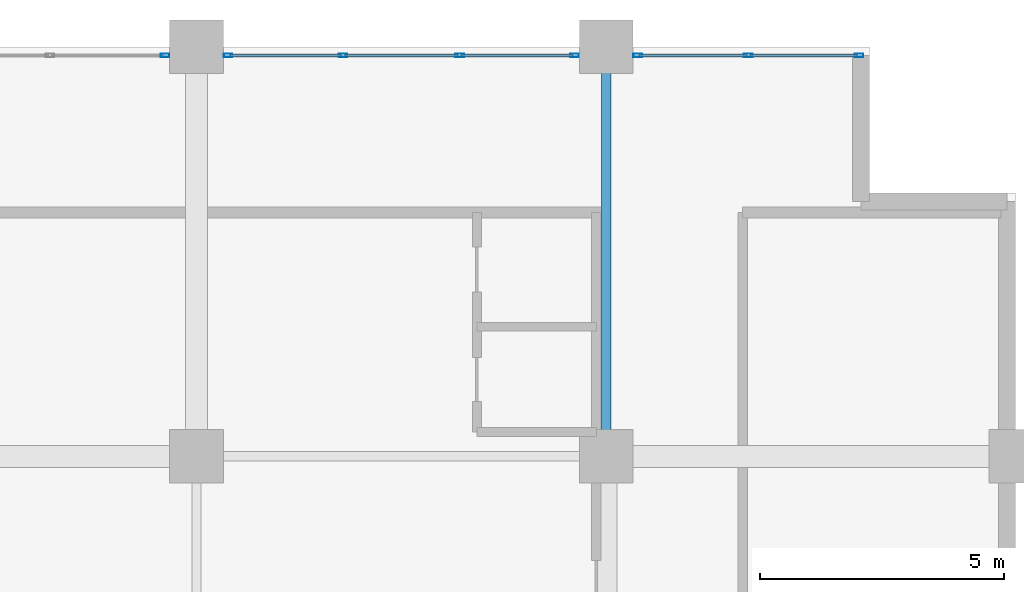
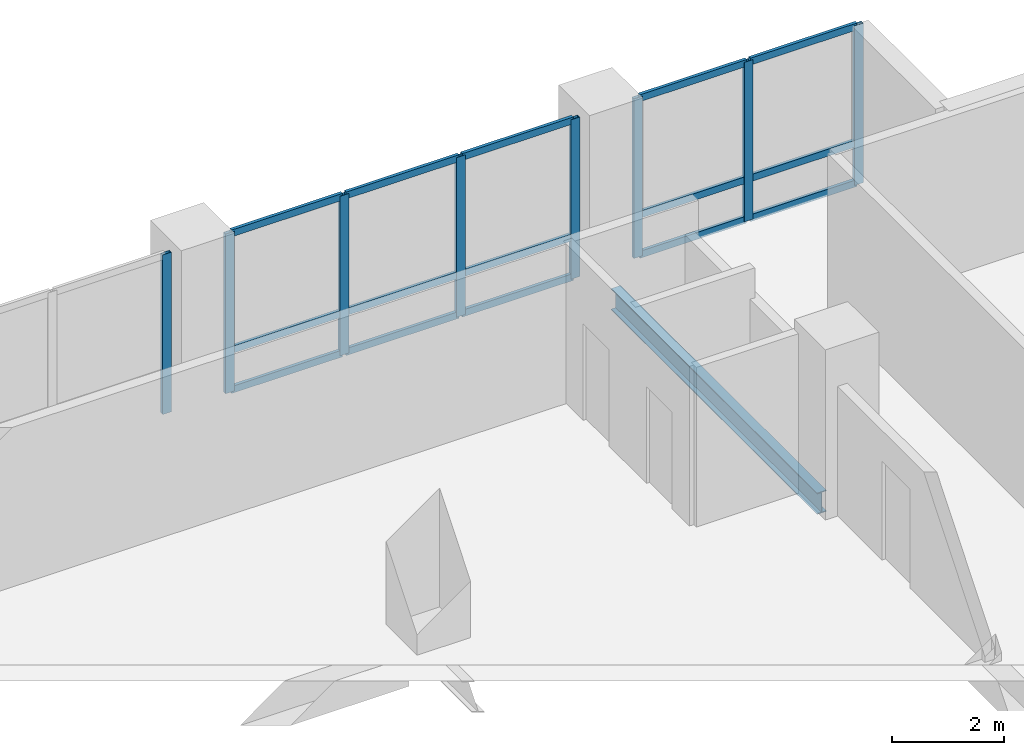
# One storey, part 5 of 20: 23 members, 1 beam, 3 elements without a shape of their own.
"""IFC4 building model written with IfcOpenShell, lengths in metres."""

from ifc_helpers import new_model, si_unit, direction, frame, origin, origin_2d, place, context, subcontext, project, spatial, hollow_rectangle, i_section, extrude, material, layer, layer_set, material_profile, profile_set, type_object, element, aggregate, save


model = new_model("IFC4")

# Units and contexts
model_context = context("Model", 3, precision=1e-05, world=origin(), true_north=direction((0.0, 1.0)))
body_context = subcontext(model_context, "Body", "Model", "MODEL_VIEW")
ifc_project = project(units=[si_unit("LENGTHUNIT", "METRE"), si_unit("AREAUNIT", "SQUARE_METRE"), si_unit("VOLUMEUNIT", "CUBIC_METRE"), si_unit("PLANEANGLEUNIT", "RADIAN"), si_unit("MASSUNIT", "GRAM", prefix="KILO")], contexts=[model_context])

# Site, building, storey
site_placement = place(None, origin())
site = spatial("IfcSite", under=ifc_project, at=site_placement, CompositionType="ELEMENT")
building_placement = place(site_placement, origin())
building = spatial("IfcBuilding", under=site, at=building_placement, Name="Koriwani Terraces Tower", CompositionType="ELEMENT")
storey_placement = place(building_placement, frame((0.0, 0.0, 175.39990234375)))
storey = spatial("IfcBuildingStorey", under=building, at=storey_placement, Name="L42", CompositionType="ELEMENT", Elevation=175.39990234375)

# Curtain wall, member
ifc_material_1 = material(Name="Anodised Bronze Aluminium", Category="aluminium")
ifc_layer = layer(ifc_material_1, 0.169921875, Name="Anodised Bronze Aluminium")
ifc_layer_set = layer_set([ifc_layer], Name="Anodised Bronze Aluminium")
curtain_wall_type = type_object("IfcCurtainWallType", Name="CW_RES_ZONE3", PredefinedType="NOTDEFINED", material=ifc_layer_set)
curtain_wall_1_placement = place(storey_placement, origin())
curtain_wall_1 = element("IfcCurtainWall", 1, at=curtain_wall_1_placement, inside=storey, type_object=curtain_wall_type, Name="L42 Unitised Curtain Wall (N_TIP) Bay 2", PredefinedType="NOTDEFINED")
ifc_material_profile_1 = material_profile(ifc_material_1, hollow_rectangle(XDim=0.074951171875, YDim=0.179931640625, WallThickness=0.006103515625, at=origin_2d()), Name="Anodised Bronze Aluminium", Category="LoadBearing")
ifc_profile_set_1 = profile_set([ifc_material_profile_1], Name="Anodised Bronze Aluminium")
member_type_1 = type_object("IfcMemberType", Name="CW_MULLION_180X75", PredefinedType="MULLION", material=ifc_profile_set_1)
member_1_placement = place(storey_placement, frame((16.152587890625, 75.425048828125, 0.0), z_axis=(0.0, 0.0, 1.0), x_axis=(0.0, 1.0, 0.0)))
member_1 = element("IfcMember", 2, at=member_1_placement, type_object=member_type_1, Name="CW-Z3 mullion 4", PredefinedType="MULLION", context=body_context, shape_type="SweptSolid", body=[
    extrude(hollow_rectangle(XDim=0.074951171875, YDim=0.179931640625, WallThickness=0.006103515625, at=origin_2d()), origin(), (0.0, 0.0, 1.0), 3.47021484375),
])
aggregate(curtain_wall_1, [member_1])

# Curtain wall, members
curtain_wall_2_placement = place(storey_placement, origin())
curtain_wall_2 = element("IfcCurtainWall", 3, at=curtain_wall_2_placement, inside=storey, type_object=curtain_wall_type, Name="L42 Unitised Curtain Wall (N_TIP) Bay 3", PredefinedType="NOTDEFINED")
member_2_placement = place(storey_placement, frame((17.447509765625, 75.425048828125, 0.0), z_axis=(0.0, 0.0, 1.0), x_axis=(0.0, 1.0, 0.0)))
member_2 = element("IfcMember", 4, at=member_2_placement, type_object=member_type_1, Name="CW-Z3 mullion 1", PredefinedType="MULLION", context=body_context, shape_type="SweptSolid", body=[
    extrude(hollow_rectangle(XDim=0.074951171875, YDim=0.179931640625, WallThickness=0.006103515625, at=origin_2d()), origin(), (0.0, 0.0, 1.0), 3.47021484375),
])
member_3_placement = place(storey_placement, frame((19.80322265625, 75.425048828125, 0.0), z_axis=(0.0, 0.0, 1.0), x_axis=(0.0, 1.0, 0.0)))
member_3 = element("IfcMember", 5, at=member_3_placement, type_object=member_type_1, Name="CW-Z3 mullion 2", PredefinedType="MULLION", context=body_context, shape_type="SweptSolid", body=[
    extrude(hollow_rectangle(XDim=0.074951171875, YDim=0.179931640625, WallThickness=0.006103515625, at=origin_2d()), origin(), (0.0, 0.0, 1.0), 3.47021484375),
])
member_4_placement = place(storey_placement, frame((22.19677734375, 75.425048828125, 0.0), z_axis=(0.0, 0.0, 1.0), x_axis=(0.0, 1.0, 0.0)))
member_4 = element("IfcMember", 6, at=member_4_placement, type_object=member_type_1, Name="CW-Z3 mullion 3", PredefinedType="MULLION", context=body_context, shape_type="SweptSolid", body=[
    extrude(hollow_rectangle(XDim=0.074951171875, YDim=0.179931640625, WallThickness=0.006103515625, at=origin_2d()), origin(), (0.0, 0.0, 1.0), 3.47021484375),
])
member_5_placement = place(storey_placement, frame((24.552490234375, 75.425048828125, 0.0), z_axis=(0.0, 0.0, 1.0), x_axis=(0.0, 1.0, 0.0)))
member_5 = element("IfcMember", 7, at=member_5_placement, type_object=member_type_1, Name="CW-Z3 mullion 4", PredefinedType="MULLION", context=body_context, shape_type="SweptSolid", body=[
    extrude(hollow_rectangle(XDim=0.074951171875, YDim=0.179931640625, WallThickness=0.006103515625, at=origin_2d()), origin(), (0.0, 0.0, 1.0), 3.47021484375),
])

curtain_wall_3_placement = place(storey_placement, origin())
curtain_wall_3 = element("IfcCurtainWall", 8, at=curtain_wall_3_placement, inside=storey, type_object=curtain_wall_type, Name="L42 Unitised Curtain Wall (N_TIP) Bay 4", PredefinedType="NOTDEFINED")
member_6_placement = place(storey_placement, frame((25.847412109375, 75.425048828125, 0.0), z_axis=(0.0, 0.0, 1.0), x_axis=(0.0, 1.0, 0.0)))
member_6 = element("IfcMember", 9, at=member_6_placement, type_object=member_type_1, Name="CW-Z3 mullion 1", PredefinedType="MULLION", context=body_context, shape_type="SweptSolid", body=[
    extrude(hollow_rectangle(XDim=0.074951171875, YDim=0.179931640625, WallThickness=0.006103515625, at=origin_2d()), origin(), (0.0, 0.0, 1.0), 3.47021484375),
])
member_7_placement = place(storey_placement, frame((28.117431640625, 75.425048828125, 0.0), z_axis=(0.0, 0.0, 1.0), x_axis=(0.0, 1.0, 0.0)))
member_7 = element("IfcMember", 10, at=member_7_placement, type_object=member_type_1, Name="CW-Z3 mullion 2", PredefinedType="MULLION", context=body_context, shape_type="SweptSolid", body=[
    extrude(hollow_rectangle(XDim=0.074951171875, YDim=0.179931640625, WallThickness=0.006103515625, at=origin_2d()), origin(), (0.0, 0.0, 1.0), 3.47021484375),
])
member_8_placement = place(storey_placement, frame((30.387451171875, 75.425048828125, 0.0), z_axis=(0.0, 0.0, 1.0), x_axis=(0.0, 1.0, 0.0)))
member_8 = element("IfcMember", 11, at=member_8_placement, type_object=member_type_1, Name="CW-Z3 mullion 3", PredefinedType="MULLION", context=body_context, shape_type="SweptSolid", body=[
    extrude(hollow_rectangle(XDim=0.074951171875, YDim=0.179931640625, WallThickness=0.006103515625, at=origin_2d()), origin(), (0.0, 0.0, 1.0), 3.47021484375),
])

# Member
ifc_material_profile_2 = material_profile(ifc_material_1, hollow_rectangle(XDim=0.06494140625, YDim=0.14990234375, WallThickness=0.0048828125, at=origin_2d()), Name="Anodised Bronze Aluminium", Category="LoadBearing")
ifc_profile_set_2 = profile_set([ifc_material_profile_2], Name="Anodised Bronze Aluminium")
member_type_2 = type_object("IfcMemberType", Name="CW_TRANSOM_150X65", PredefinedType="USERDEFINED", material=ifc_profile_set_2)
member_9_placement = place(storey_placement, frame((17.485107421875, 75.425048828125, 0.03271484375), z_axis=(1.0, 0.0, 0.0), x_axis=(0.0, 1.0, 0.0)))
member_9 = element("IfcMember", 12, at=member_9_placement, type_object=member_type_2, Name="CW-Z3 transom 1.1", ObjectType="TRANSOM", PredefinedType="USERDEFINED", context=body_context, shape_type="SweptSolid", body=[
    extrude(hollow_rectangle(XDim=0.06494140625, YDim=0.14990234375, WallThickness=0.0048828125, at=origin_2d()), origin(), (0.0, 0.0, 1.0), 2.28076171875),
])

member_10_placement = place(storey_placement, frame((17.485107421875, 75.425048828125, 0.900146484375), z_axis=(1.0, 0.0, 0.0), x_axis=(0.0, 1.0, 0.0)))
member_10 = element("IfcMember", 13, at=member_10_placement, type_object=member_type_2, Name="CW-Z3 transom 1.2", ObjectType="TRANSOM", PredefinedType="USERDEFINED", context=body_context, shape_type="SweptSolid", body=[
    extrude(hollow_rectangle(XDim=0.06494140625, YDim=0.14990234375, WallThickness=0.0048828125, at=origin_2d()), origin(), (0.0, 0.0, 1.0), 2.28076171875),
])

member_11_placement = place(storey_placement, frame((17.485107421875, 75.425048828125, 3.4375), z_axis=(1.0, 0.0, 0.0), x_axis=(0.0, 1.0, 0.0)))
member_11 = element("IfcMember", 14, at=member_11_placement, type_object=member_type_2, Name="CW-Z3 transom 1.3", ObjectType="TRANSOM", PredefinedType="USERDEFINED", context=body_context, shape_type="SweptSolid", body=[
    extrude(hollow_rectangle(XDim=0.06494140625, YDim=0.14990234375, WallThickness=0.0048828125, at=origin_2d()), origin(), (0.0, 0.0, 1.0), 2.28076171875),
])

member_12_placement = place(storey_placement, frame((19.8408203125, 75.425048828125, 0.03271484375), z_axis=(1.0, 0.0, 0.0), x_axis=(0.0, 1.0, 0.0)))
member_12 = element("IfcMember", 15, at=member_12_placement, type_object=member_type_2, Name="CW-Z3 transom 2.1", ObjectType="TRANSOM", PredefinedType="USERDEFINED", context=body_context, shape_type="SweptSolid", body=[
    extrude(hollow_rectangle(XDim=0.06494140625, YDim=0.14990234375, WallThickness=0.0048828125, at=origin_2d()), origin(), (0.0, 0.0, 1.0), 2.318359375),
])

member_13_placement = place(storey_placement, frame((19.8408203125, 75.425048828125, 0.900146484375), z_axis=(1.0, 0.0, 0.0), x_axis=(0.0, 1.0, 0.0)))
member_13 = element("IfcMember", 16, at=member_13_placement, type_object=member_type_2, Name="CW-Z3 transom 2.2", ObjectType="TRANSOM", PredefinedType="USERDEFINED", context=body_context, shape_type="SweptSolid", body=[
    extrude(hollow_rectangle(XDim=0.06494140625, YDim=0.14990234375, WallThickness=0.0048828125, at=origin_2d()), origin(), (0.0, 0.0, 1.0), 2.318359375),
])

member_14_placement = place(storey_placement, frame((19.8408203125, 75.425048828125, 3.4375), z_axis=(1.0, 0.0, 0.0), x_axis=(0.0, 1.0, 0.0)))
member_14 = element("IfcMember", 17, at=member_14_placement, type_object=member_type_2, Name="CW-Z3 transom 2.3", ObjectType="TRANSOM", PredefinedType="USERDEFINED", context=body_context, shape_type="SweptSolid", body=[
    extrude(hollow_rectangle(XDim=0.06494140625, YDim=0.14990234375, WallThickness=0.0048828125, at=origin_2d()), origin(), (0.0, 0.0, 1.0), 2.318359375),
])

member_15_placement = place(storey_placement, frame((22.234130859375, 75.425048828125, 0.03271484375), z_axis=(1.0, 0.0, 0.0), x_axis=(0.0, 1.0, 0.0)))
member_15 = element("IfcMember", 18, at=member_15_placement, type_object=member_type_2, Name="CW-Z3 transom 3.1", ObjectType="TRANSOM", PredefinedType="USERDEFINED", context=body_context, shape_type="SweptSolid", body=[
    extrude(hollow_rectangle(XDim=0.06494140625, YDim=0.14990234375, WallThickness=0.0048828125, at=origin_2d()), origin(), (0.0, 0.0, 1.0), 2.28076171875),
])

member_16_placement = place(storey_placement, frame((22.234130859375, 75.425048828125, 0.900146484375), z_axis=(1.0, 0.0, 0.0), x_axis=(0.0, 1.0, 0.0)))
member_16 = element("IfcMember", 19, at=member_16_placement, type_object=member_type_2, Name="CW-Z3 transom 3.2", ObjectType="TRANSOM", PredefinedType="USERDEFINED", context=body_context, shape_type="SweptSolid", body=[
    extrude(hollow_rectangle(XDim=0.06494140625, YDim=0.14990234375, WallThickness=0.0048828125, at=origin_2d()), origin(), (0.0, 0.0, 1.0), 2.28076171875),
])

member_17_placement = place(storey_placement, frame((22.234130859375, 75.425048828125, 3.4375), z_axis=(1.0, 0.0, 0.0), x_axis=(0.0, 1.0, 0.0)))
member_17 = element("IfcMember", 20, at=member_17_placement, type_object=member_type_2, Name="CW-Z3 transom 3.3", ObjectType="TRANSOM", PredefinedType="USERDEFINED", context=body_context, shape_type="SweptSolid", body=[
    extrude(hollow_rectangle(XDim=0.06494140625, YDim=0.14990234375, WallThickness=0.0048828125, at=origin_2d()), origin(), (0.0, 0.0, 1.0), 2.28076171875),
])

aggregate(curtain_wall_2, [member_2, member_3, member_4, member_5, member_9, member_10, member_11, member_12, member_13, member_14, member_15, member_16, member_17])

member_18_placement = place(storey_placement, frame((25.885009765625, 75.425048828125, 0.03271484375), z_axis=(1.0, 0.0, 0.0), x_axis=(0.0, 1.0, 0.0)))
member_18 = element("IfcMember", 21, at=member_18_placement, type_object=member_type_2, Name="CW-Z3 transom 1.1", ObjectType="TRANSOM", PredefinedType="USERDEFINED", context=body_context, shape_type="SweptSolid", body=[
    extrude(hollow_rectangle(XDim=0.06494140625, YDim=0.14990234375, WallThickness=0.0048828125, at=origin_2d()), origin(), (0.0, 0.0, 1.0), 2.195068359375),
])

member_19_placement = place(storey_placement, frame((25.885009765625, 75.425048828125, 0.900146484375), z_axis=(1.0, 0.0, 0.0), x_axis=(0.0, 1.0, 0.0)))
member_19 = element("IfcMember", 22, at=member_19_placement, type_object=member_type_2, Name="CW-Z3 transom 1.2", ObjectType="TRANSOM", PredefinedType="USERDEFINED", context=body_context, shape_type="SweptSolid", body=[
    extrude(hollow_rectangle(XDim=0.06494140625, YDim=0.14990234375, WallThickness=0.0048828125, at=origin_2d()), origin(), (0.0, 0.0, 1.0), 2.195068359375),
])

member_20_placement = place(storey_placement, frame((25.885009765625, 75.425048828125, 3.4375), z_axis=(1.0, 0.0, 0.0), x_axis=(0.0, 1.0, 0.0)))
member_20 = element("IfcMember", 23, at=member_20_placement, type_object=member_type_2, Name="CW-Z3 transom 1.3", ObjectType="TRANSOM", PredefinedType="USERDEFINED", context=body_context, shape_type="SweptSolid", body=[
    extrude(hollow_rectangle(XDim=0.06494140625, YDim=0.14990234375, WallThickness=0.0048828125, at=origin_2d()), origin(), (0.0, 0.0, 1.0), 2.195068359375),
])

member_21_placement = place(storey_placement, frame((28.155029296875, 75.425048828125, 0.03271484375), z_axis=(1.0, 0.0, 0.0), x_axis=(0.0, 1.0, 0.0)))
member_21 = element("IfcMember", 24, at=member_21_placement, type_object=member_type_2, Name="CW-Z3 transom 2.1", ObjectType="TRANSOM", PredefinedType="USERDEFINED", context=body_context, shape_type="SweptSolid", body=[
    extrude(hollow_rectangle(XDim=0.06494140625, YDim=0.14990234375, WallThickness=0.0048828125, at=origin_2d()), origin(), (0.0, 0.0, 1.0), 2.195068359375),
])

member_22_placement = place(storey_placement, frame((28.155029296875, 75.425048828125, 0.900146484375), z_axis=(1.0, 0.0, 0.0), x_axis=(0.0, 1.0, 0.0)))
member_22 = element("IfcMember", 25, at=member_22_placement, type_object=member_type_2, Name="CW-Z3 transom 2.2", ObjectType="TRANSOM", PredefinedType="USERDEFINED", context=body_context, shape_type="SweptSolid", body=[
    extrude(hollow_rectangle(XDim=0.06494140625, YDim=0.14990234375, WallThickness=0.0048828125, at=origin_2d()), origin(), (0.0, 0.0, 1.0), 2.195068359375),
])

member_23_placement = place(storey_placement, frame((28.155029296875, 75.425048828125, 3.4375), z_axis=(1.0, 0.0, 0.0), x_axis=(0.0, 1.0, 0.0)))
member_23 = element("IfcMember", 26, at=member_23_placement, type_object=member_type_2, Name="CW-Z3 transom 2.3", ObjectType="TRANSOM", PredefinedType="USERDEFINED", context=body_context, shape_type="SweptSolid", body=[
    extrude(hollow_rectangle(XDim=0.06494140625, YDim=0.14990234375, WallThickness=0.0048828125, at=origin_2d()), origin(), (0.0, 0.0, 1.0), 2.195068359375),
])

aggregate(curtain_wall_3, [member_6, member_7, member_8, member_18, member_19, member_20, member_21, member_22, member_23])

# Beam
ifc_material_2 = material(Name="Steel ASTM A572 Grade 50", Category="steel")
ifc_material_profile_3 = material_profile(ifc_material_2, i_section(OverallWidth=0.193115234375, OverallDepth=0.462890625, WebThickness=0.0107421875, FlangeThickness=0.017333984375, at=origin_2d()), Name="Steel ASTM A572 Grade 50", Category="LoadBearing")
ifc_profile_set_3 = profile_set([ifc_material_profile_3], Name="Steel ASTM A572 Grade 50")
beam_type = type_object("IfcBeamType", Name="STEEL_BEAM_W460X113", PredefinedType="BEAM", material=ifc_profile_set_3)
beam_placement = place(storey_placement, frame((25.199951171875, 67.72998046875, -0.46142578125), z_axis=(0.0, 1.0, 0.0), x_axis=(-1.0, 0.0, 0.0)))
element("IfcBeam", 27, at=beam_placement, inside=storey, type_object=beam_type, Name="L42 Grid Beam 4 (67.2-75.6m)", PredefinedType="BEAM", context=body_context, shape_type="SweptSolid", body=[
    extrude(i_section(OverallWidth=0.193115234375, OverallDepth=0.462890625, WebThickness=0.0107421875, FlangeThickness=0.017333984375, at=origin_2d()), origin(), (0.0, 0.0, 1.0), 7.340087890625),
])

save(model, "model.ifc")
